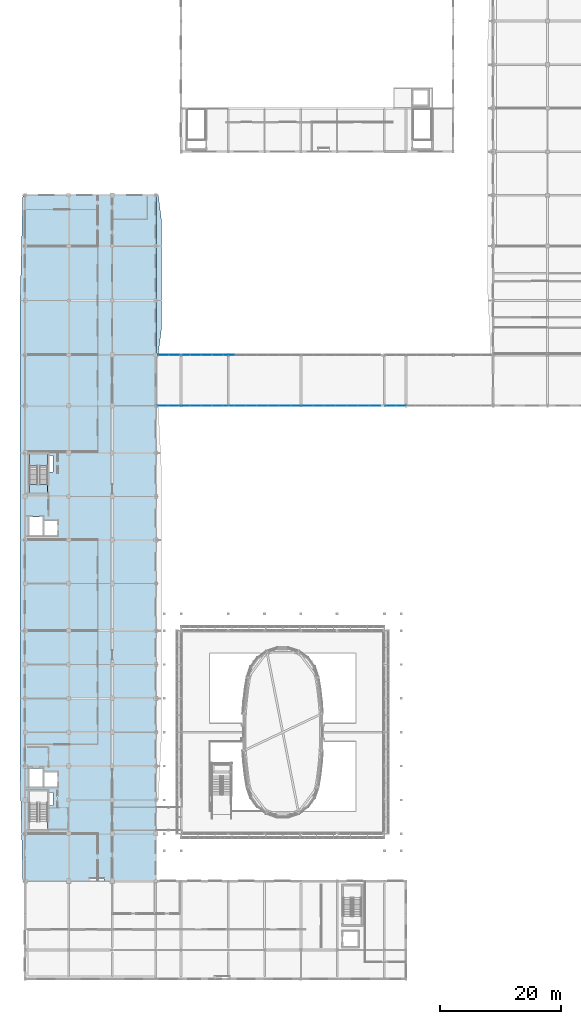
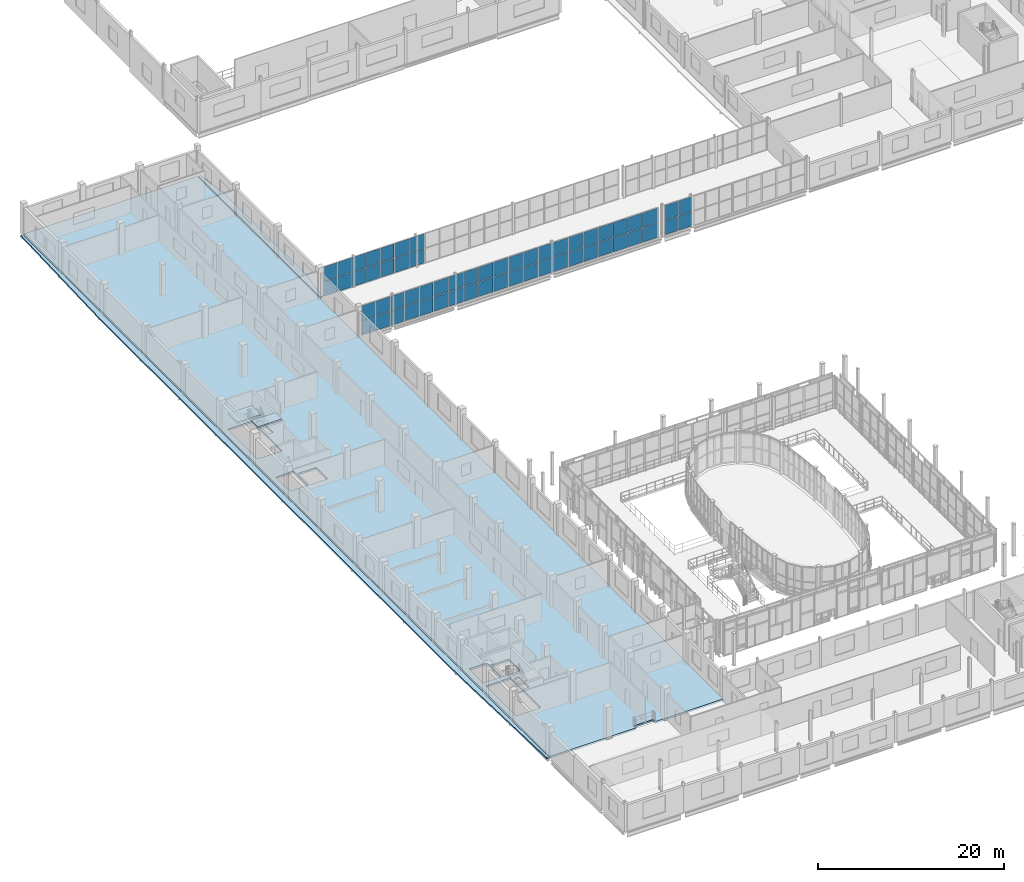
# One storey, part 85 of 121: 58 plates, 5 slabs, 8 elements without a shape of their own.
"""IFC4 building model written with IfcOpenShell, lengths in metres."""

import ifcopenshell
import ifcopenshell.guid

model = None  # the IFC model being written
_history = None  # IfcOwnerHistory: only IFC2X3 demands one
_inside = {}  # id of a spatial element -> (the spatial element, [elements in it])
_under = {}  # id of a project, library or spatial element -> (it, [spatial elements below it])
_declared = {}  # id of a project -> (the project, [libraries it declares])
_typed = {}  # id of a type object -> (the type object, [elements of that type])
_made_of = {}  # id of a material, layer set ... -> (it, [elements and type objects made of it])


def new_model(schema):
    """Start an empty IFC model of exactly this schema.

    Asked for "IFC4X3", IfcOpenShell would pick the latest addendum, in which some entities
    have other attributes; the version numbers below select the first issue.
    IFC2X3 requires an IfcOwnerHistory on every rooted entity: one is made here for all.
    """
    global model, _history
    if schema == "IFC4X3":
        model = ifcopenshell.file(schema_version=(4, 3, 0, 0))
    else:
        model = ifcopenshell.file(schema=schema)
    _inside.clear()
    _under.clear()
    _declared.clear()
    _typed.clear()
    _made_of.clear()
    _history = None
    if model.schema == "IFC2X3":
        org = make("IfcOrganization", Name="unknown")
        user = make(
            "IfcPersonAndOrganization",
            ThePerson=make("IfcPerson", FamilyName="unknown"),
            TheOrganization=org,
        )
        app = make(
            "IfcApplication",
            ApplicationDeveloper=org,
            Version="unknown",
            ApplicationFullName="unknown",
            ApplicationIdentifier="unknown",
        )
        _history = make(
            "IfcOwnerHistory",
            OwningUser=user,
            OwningApplication=app,
            ChangeAction="ADDED",
            CreationDate=0,
        )
    return model


def make(cls, **values):
    """One entity of the class cls with the attributes given. An attribute that is None is left unset."""
    return model.create_entity(
        cls, **{name: value for name, value in values.items() if value is not None}
    )


def rooted(cls, **values):
    """An entity with a GlobalId (a new one), such as an element, a storey or a relation."""
    return make(cls, GlobalId=ifcopenshell.guid.new(), OwnerHistory=_history, **values)


def si_unit(unit_type, name, prefix=None):
    """IfcSIUnit, for example si_unit("LENGTHUNIT", "METRE", prefix="MILLI")."""
    return make("IfcSIUnit", UnitType=unit_type, Prefix=prefix, Name=name)


def assignment(units):
    """IfcUnitAssignment: the units of a project."""
    return None if units is None else make("IfcUnitAssignment", Units=units)


def point(xyz):
    """IfcCartesianPoint."""
    return None if xyz is None else make("IfcCartesianPoint", Coordinates=xyz)


def direction(xyz):
    """IfcDirection."""
    return None if xyz is None else make("IfcDirection", DirectionRatios=xyz)


def frame(location, z_axis=None, x_axis=None):
    """IfcAxis2Placement3D, a coordinate frame: its origin and axes. An axis left out is left unset."""
    return make(
        "IfcAxis2Placement3D",
        Location=point(location),
        Axis=direction(z_axis),
        RefDirection=direction(x_axis),
    )


def frame_2d(location, x_axis=None):
    """IfcAxis2Placement2D, a coordinate frame in the plane: its origin and x axis."""
    return make(
        "IfcAxis2Placement2D", Location=point(location), RefDirection=direction(x_axis)
    )


def origin():
    """The frame at (0, 0, 0) with its axes left unset."""
    return frame((0.0, 0.0, 0.0))


def origin_2d():
    """The frame at (0, 0) in the plane with its x axis left unset."""
    return frame_2d((0.0, 0.0))


def place(relative_to, where):
    """IfcLocalPlacement: puts the frame where relative to a parent placement (None: the world)."""
    return make(
        "IfcLocalPlacement", PlacementRelTo=relative_to, RelativePlacement=where
    )


def context(
    kind, dimensions, precision=None, world=None, true_north=None, identifier=None
):
    """IfcGeometricRepresentationContext, for example the 3D "Model" context."""
    return make(
        "IfcGeometricRepresentationContext",
        ContextIdentifier=identifier,
        ContextType=kind,
        CoordinateSpaceDimension=dimensions,
        Precision=precision,
        WorldCoordinateSystem=world,
        TrueNorth=true_north,
    )


def subcontext(parent, identifier, kind, view, scale=None):
    """IfcGeometricRepresentationSubContext, for example "Body" below "Model"."""
    return make(
        "IfcGeometricRepresentationSubContext",
        ContextIdentifier=identifier,
        ContextType=kind,
        ParentContext=parent,
        TargetScale=scale,
        TargetView=view,
    )


def project(units=None, contexts=None):
    """IfcProject with its units and contexts."""
    return rooted(
        "IfcProject",
        Name="project",
        RepresentationContexts=contexts,
        UnitsInContext=assignment(units),
    )


def spatial(cls, under=None, at=None, **own):
    """A site, building, storey or space (cls), placed at a placement, below another one or the project."""
    s = rooted(cls, ObjectPlacement=at, **own)
    if under is not None:
        _under.setdefault(under.id(), (under, []))[1].append(s)
    return s


def polyline(points):
    """IfcPolyline through the points."""
    return make("IfcPolyline", Points=[point(p) for p in points])


def profile(cls, at=None, kind="AREA", **sizes):
    """A parametric profile (cls). Its sizes go by their IFC names, for example OverallWidth=200.0."""
    return make(cls, ProfileType=kind, Position=at, **sizes)


def rectangle(**sizes):
    """IfcRectangleProfileDef."""
    return profile("IfcRectangleProfileDef", **sizes)


def outline(outer, holes=None, kind="AREA"):
    """IfcArbitraryClosedProfileDef: a profile drawn as a closed curve; with holes, ...WithVoids."""
    if holes is None:
        return make("IfcArbitraryClosedProfileDef", ProfileType=kind, OuterCurve=outer)
    return make(
        "IfcArbitraryProfileDefWithVoids",
        ProfileType=kind,
        OuterCurve=outer,
        InnerCurves=holes,
    )


def extrude(swept, where, along, depth):
    """IfcExtrudedAreaSolid: the profile swept, set in the frame where, extruded along a direction by depth."""
    return make(
        "IfcExtrudedAreaSolid",
        SweptArea=swept,
        Position=where,
        ExtrudedDirection=direction(along),
        Depth=depth,
    )


def shape(context_of_items, identifier, shape_type, items):
    """IfcShapeRepresentation: the items that make up one representation, for example the "Body"."""
    return make(
        "IfcShapeRepresentation",
        ContextOfItems=context_of_items,
        RepresentationIdentifier=identifier,
        RepresentationType=shape_type,
        Items=items,
    )


def material(Name=None, Category=None):
    """IfcMaterial."""
    return make("IfcMaterial", Name=Name, Category=Category)


def layer(
    of_material, thickness, ventilated=None, Name=None, Category=None, Priority=None
):
    """IfcMaterialLayer: one layer of a wall or slab, of a material (None: an air gap)."""
    return make(
        "IfcMaterialLayer",
        Material=of_material,
        LayerThickness=thickness,
        IsVentilated=ventilated,
        Name=Name,
        Category=Category,
        Priority=Priority,
    )


def layer_set(layers, Name=None):
    """IfcMaterialLayerSet."""
    return make("IfcMaterialLayerSet", MaterialLayers=layers, LayerSetName=Name)


def made_of(thing, what):
    """Note that an element or type object is made of a material, layer set ...; save() writes the relation."""
    if what is not None:
        _made_of.setdefault(what.id(), (what, []))[1].append(thing)
    return thing


def type_object(cls, material=None, **own):
    """A type object (cls), such as IfcWallType, which elements share."""
    return made_of(rooted(cls, **own), material)


def element(
    cls,
    number,
    at=None,
    inside=None,
    cuts=None,
    type_object=None,
    material=None,
    context=None,
    identifier="Body",
    shape_type=None,
    held_by="IfcProductDefinitionShape",
    body=None,
    shapes=None,
    **own,
):
    """One element of the class cls, such as IfcWall. Its Tag is "e" and its number.

    at: its placement. inside: the storey or other place that contains it. cuts: it is an
    opening in that element (IfcRelVoidsElement). A single representation is given by context,
    identifier, shape_type and body (its items); several are given by shapes. held_by: the class
    of the entity that holds the representations. save() writes the other relations.
    """
    e = rooted(cls, Tag="e%d" % number, ObjectPlacement=at, **own)
    if body is not None:
        shapes = [shape(context, identifier, shape_type, body)]
    if shapes is not None:
        e.Representation = make(held_by, Representations=shapes)
    if inside is not None:
        _inside.setdefault(inside.id(), (inside, []))[1].append(e)
    if cuts is not None:
        rooted(
            "IfcRelVoidsElement", RelatingBuildingElement=cuts, RelatedOpeningElement=e
        )
    if type_object is not None:
        _typed.setdefault(type_object.id(), (type_object, []))[1].append(e)
    return made_of(e, material)


def aggregate(whole, parts):
    """IfcRelAggregates: a whole, such as a stair, and the parts it consists of."""
    return rooted("IfcRelAggregates", RelatingObject=whole, RelatedObjects=parts)


def save(model, path):
    """Write the relations noted so far, then the file.

    IfcRelAggregates (storeys below a building ...), IfcRelContainedInSpatialStructure (elements
    in a storey), IfcRelDefinesByType, IfcRelAssociatesMaterial and IfcRelDeclares: one each for
    every whole, place, type object, material and project.
    """
    for whole, parts in _under.values():
        aggregate(whole, parts)
    for where, things in _inside.values():
        rooted(
            "IfcRelContainedInSpatialStructure",
            RelatedElements=things,
            RelatingStructure=where,
        )
    for kind, things in _typed.values():
        rooted("IfcRelDefinesByType", RelatedObjects=things, RelatingType=kind)
    for what, things in _made_of.values():
        rooted("IfcRelAssociatesMaterial", RelatedObjects=things, RelatingMaterial=what)
    for by, libraries in _declared.values():
        rooted("IfcRelDeclares", RelatingContext=by, RelatedDefinitions=libraries)
    model.write(path)


model = new_model("IFC4")

# Units and contexts
model_context = context("Model", 3, precision=1e-05, world=origin(), true_north=direction((0.0, 1.0)))
body_context = subcontext(model_context, "Body", "Model", "MODEL_VIEW")
ifc_project = project(units=[si_unit("LENGTHUNIT", "METRE"), si_unit("AREAUNIT", "SQUARE_METRE"), si_unit("VOLUMEUNIT", "CUBIC_METRE"), si_unit("PLANEANGLEUNIT", "RADIAN"), si_unit("MASSUNIT", "GRAM", prefix="KILO")], contexts=[model_context])

# Site, building, storey
site_placement = place(None, origin())
site = spatial("IfcSite", under=ifc_project, at=site_placement, CompositionType="ELEMENT")
building_placement = place(site_placement, origin())
building = spatial("IfcBuilding", under=site, at=building_placement, Name="Vinh Khe Railworks Police Headquarters", CompositionType="ELEMENT")
storey_placement = place(building_placement, frame((0.0, 0.0, 4.800048828125)))
storey = spatial("IfcBuildingStorey", under=building, at=storey_placement, Name="L01", CompositionType="ELEMENT", Elevation=4.800048828125)

# Slabs
ifc_material_1 = material(Name="Concrete C35/45 (B35)", Category="concrete")
ifc_layer_1 = layer(ifc_material_1, 0.199951171875)
ifc_layer_set_1 = layer_set([ifc_layer_1], Name="Concrete C35/45 (B35)")
slab_type_1 = type_object("IfcSlabType", Name="Flat Structural Roof Slab 200", PredefinedType="ROOF", material=ifc_layer_set_1)
slab_1_placement = place(storey_placement, frame((0.0, 0.0, -0.239990234375)))
element("IfcSlab", 1, at=slab_1_placement, inside=storey, type_object=slab_type_1, Name="Monsoon Window Eyebrow Hood V5W (L01)", PredefinedType="ROOF", context=body_context, shape_type="SweptSolid", body=[
    extrude(outline(polyline([(0.4599609375, 17.39990234375), (0.4599609375, 130.800048828125), (0.21142578125, 130.800048828125), (-0.25, 112.656005859375), (-0.25, 35.5439453125), (0.21142578125, 17.39990234375), (0.4599609375, 17.39990234375)])), origin(), (0.0, 0.0, 1.0), 0.199951171875),
])
slab_2_placement = place(storey_placement, frame((0.0, 0.0, -0.239990234375)))
element("IfcSlab", 2, at=slab_2_placement, inside=storey, type_object=slab_type_1, Name="Monsoon Window Eyebrow Hood V5E (L01)", PredefinedType="ROOF", context=body_context, shape_type="SweptSolid", body=[
    extrude(outline(polyline([(22.340087890625, 104.60009765625), (22.62353515625, 104.60009765625), (23.14990234375, 108.7919921875), (23.14990234375, 126.60791015625), (22.62353515625, 130.800048828125), (22.340087890625, 130.800048828125), (22.340087890625, 104.60009765625)])), origin(), (0.0, 0.0, 1.0), 0.199951171875),
])

# Curtain wall, plates
ifc_material_2 = material(Name="Anodised aluminium and solar-control glass", Category="aluminium")
ifc_layer_2 = layer(ifc_material_2, 0.159912109375)
ifc_layer_set_2 = layer_set([ifc_layer_2], Name="Anodised aluminium and solar-control glass")
curtain_wall_type = type_object("IfcCurtainWallType", Name="CW-SHOPFRONT", PredefinedType="USERDEFINED", material=ifc_layer_set_2)
curtain_wall_1_placement = place(storey_placement, origin())
curtain_wall_1 = element("IfcCurtainWall", 3, at=curtain_wall_1_placement, inside=storey, type_object=curtain_wall_type, Name="Link Bridge South Glazing L01 Bay 1", ObjectType="UNITISED GLAZING", PredefinedType="USERDEFINED")
ifc_material_3 = material(Name="Low-iron laminated solar-control glass", Category="glass")
ifc_layer_3 = layer(ifc_material_3, 0.028076171875)
ifc_layer_set_3 = layer_set([ifc_layer_3], Name="Low-iron laminated solar-control glass")
plate_type = type_object("IfcPlateType", Name="PAN-GLZ-28", PredefinedType="CURTAIN_PANEL", material=ifc_layer_set_3)
plate_1_placement = place(storey_placement, frame((23.410400390625, 96.0, 0.06005859375), z_axis=(0.0, 0.0, 1.0), x_axis=(1.0, 0.0, 0.0)))
plate_1 = element("IfcPlate", 4, at=plate_1_placement, type_object=plate_type, Name="CW-03 panel 1.1", PredefinedType="CURTAIN_PANEL", context=body_context, shape_type="SweptSolid", body=[
    extrude(rectangle(XDim=1.7109375, YDim=0.028076171875, at=origin_2d()), origin(), (0.0, 0.0, 1.0), 1.89990234375),
])
plate_2_placement = place(storey_placement, frame((23.410400390625, 96.0, 2.02001953125), z_axis=(0.0, 0.0, 1.0), x_axis=(1.0, 0.0, 0.0)))
plate_2 = element("IfcPlate", 5, at=plate_2_placement, type_object=plate_type, Name="CW-03 panel 1.2", PredefinedType="CURTAIN_PANEL", context=body_context, shape_type="SweptSolid", body=[
    extrude(rectangle(XDim=1.7109375, YDim=0.028076171875, at=origin_2d()), origin(), (0.0, 0.0, 1.0), 1.89990234375),
])
plate_3_placement = place(storey_placement, frame((25.196533203125, 96.0, 0.06005859375), z_axis=(0.0, 0.0, 1.0), x_axis=(1.0, 0.0, 0.0)))
plate_3 = element("IfcPlate", 6, at=plate_3_placement, type_object=plate_type, Name="CW-03 panel 2.1", PredefinedType="CURTAIN_PANEL", context=body_context, shape_type="SweptSolid", body=[
    extrude(rectangle(XDim=1.740966796875, YDim=0.028076171875, at=origin_2d()), origin(), (0.0, 0.0, 1.0), 1.89990234375),
])
plate_4_placement = place(storey_placement, frame((25.196533203125, 96.0, 2.02001953125), z_axis=(0.0, 0.0, 1.0), x_axis=(1.0, 0.0, 0.0)))
plate_4 = element("IfcPlate", 7, at=plate_4_placement, type_object=plate_type, Name="CW-03 panel 2.2", PredefinedType="CURTAIN_PANEL", context=body_context, shape_type="SweptSolid", body=[
    extrude(rectangle(XDim=1.740966796875, YDim=0.028076171875, at=origin_2d()), origin(), (0.0, 0.0, 1.0), 1.89990234375),
])
plate_5_placement = place(storey_placement, frame((26.99755859375, 96.0, 0.06005859375), z_axis=(0.0, 0.0, 1.0), x_axis=(1.0, 0.0, 0.0)))
plate_5 = element("IfcPlate", 8, at=plate_5_placement, type_object=plate_type, Name="CW-03 panel 3.1", PredefinedType="CURTAIN_PANEL", context=body_context, shape_type="SweptSolid", body=[
    extrude(rectangle(XDim=1.740966796875, YDim=0.028076171875, at=origin_2d()), origin(), (0.0, 0.0, 1.0), 1.89990234375),
])
plate_6_placement = place(storey_placement, frame((26.99755859375, 96.0, 2.02001953125), z_axis=(0.0, 0.0, 1.0), x_axis=(1.0, 0.0, 0.0)))
plate_6 = element("IfcPlate", 9, at=plate_6_placement, type_object=plate_type, Name="CW-03 panel 3.2", PredefinedType="CURTAIN_PANEL", context=body_context, shape_type="SweptSolid", body=[
    extrude(rectangle(XDim=1.740966796875, YDim=0.028076171875, at=origin_2d()), origin(), (0.0, 0.0, 1.0), 1.89990234375),
])
plate_7_placement = place(storey_placement, frame((28.798583984375, 96.0, 0.06005859375), z_axis=(0.0, 0.0, 1.0), x_axis=(1.0, 0.0, 0.0)))
plate_7 = element("IfcPlate", 10, at=plate_7_placement, type_object=plate_type, Name="CW-03 panel 4.1", PredefinedType="CURTAIN_PANEL", context=body_context, shape_type="SweptSolid", body=[
    extrude(rectangle(XDim=1.740966796875, YDim=0.028076171875, at=origin_2d()), origin(), (0.0, 0.0, 1.0), 1.89990234375),
])
plate_8_placement = place(storey_placement, frame((28.798583984375, 96.0, 2.02001953125), z_axis=(0.0, 0.0, 1.0), x_axis=(1.0, 0.0, 0.0)))
plate_8 = element("IfcPlate", 11, at=plate_8_placement, type_object=plate_type, Name="CW-03 panel 4.2", PredefinedType="CURTAIN_PANEL", context=body_context, shape_type="SweptSolid", body=[
    extrude(rectangle(XDim=1.740966796875, YDim=0.028076171875, at=origin_2d()), origin(), (0.0, 0.0, 1.0), 1.89990234375),
])
plate_9_placement = place(storey_placement, frame((30.58447265625, 96.0, 0.06005859375), z_axis=(0.0, 0.0, 1.0), x_axis=(1.0, 0.0, 0.0)))
plate_9 = element("IfcPlate", 12, at=plate_9_placement, type_object=plate_type, Name="CW-03 panel 5.1", PredefinedType="CURTAIN_PANEL", context=body_context, shape_type="SweptSolid", body=[
    extrude(rectangle(XDim=1.7109375, YDim=0.028076171875, at=origin_2d()), origin(), (0.0, 0.0, 1.0), 1.89990234375),
])
plate_10_placement = place(storey_placement, frame((30.58447265625, 96.0, 2.02001953125), z_axis=(0.0, 0.0, 1.0), x_axis=(1.0, 0.0, 0.0)))
plate_10 = element("IfcPlate", 13, at=plate_10_placement, type_object=plate_type, Name="CW-03 panel 5.2", PredefinedType="CURTAIN_PANEL", context=body_context, shape_type="SweptSolid", body=[
    extrude(rectangle(XDim=1.7109375, YDim=0.028076171875, at=origin_2d()), origin(), (0.0, 0.0, 1.0), 1.89990234375),
])
aggregate(curtain_wall_1, [plate_1, plate_2, plate_3, plate_4, plate_5, plate_6, plate_7, plate_8, plate_9, plate_10])

curtain_wall_2_placement = place(storey_placement, origin())
curtain_wall_2 = element("IfcCurtainWall", 14, at=curtain_wall_2_placement, inside=storey, type_object=curtain_wall_type, Name="Link Bridge North Glazing L01 Bay 1", ObjectType="UNITISED GLAZING", PredefinedType="USERDEFINED")
plate_11_placement = place(storey_placement, frame((23.47802734375, 104.39990234375, 0.06005859375), z_axis=(0.0, 0.0, 1.0), x_axis=(1.0, 0.0, 0.0)))
plate_11 = element("IfcPlate", 15, at=plate_11_placement, type_object=plate_type, Name="CW-03 panel 1.1", PredefinedType="CURTAIN_PANEL", context=body_context, shape_type="SweptSolid", body=[
    extrude(rectangle(XDim=1.696044921875, YDim=0.028076171875, at=origin_2d()), origin(), (0.0, 0.0, 1.0), 1.89990234375),
])
plate_12_placement = place(storey_placement, frame((23.47802734375, 104.39990234375, 2.02001953125), z_axis=(0.0, 0.0, 1.0), x_axis=(1.0, 0.0, 0.0)))
plate_12 = element("IfcPlate", 16, at=plate_12_placement, type_object=plate_type, Name="CW-03 panel 1.2", PredefinedType="CURTAIN_PANEL", context=body_context, shape_type="SweptSolid", body=[
    extrude(rectangle(XDim=1.696044921875, YDim=0.028076171875, at=origin_2d()), origin(), (0.0, 0.0, 1.0), 1.89990234375),
])
plate_13_placement = place(storey_placement, frame((25.2490234375, 104.39990234375, 0.06005859375), z_axis=(0.0, 0.0, 1.0), x_axis=(1.0, 0.0, 0.0)))
plate_13 = element("IfcPlate", 17, at=plate_13_placement, type_object=plate_type, Name="CW-03 panel 2.1", PredefinedType="CURTAIN_PANEL", context=body_context, shape_type="SweptSolid", body=[
    extrude(rectangle(XDim=1.72607421875, YDim=0.028076171875, at=origin_2d()), origin(), (0.0, 0.0, 1.0), 1.89990234375),
])
plate_14_placement = place(storey_placement, frame((25.2490234375, 104.39990234375, 2.02001953125), z_axis=(0.0, 0.0, 1.0), x_axis=(1.0, 0.0, 0.0)))
plate_14 = element("IfcPlate", 18, at=plate_14_placement, type_object=plate_type, Name="CW-03 panel 2.2", PredefinedType="CURTAIN_PANEL", context=body_context, shape_type="SweptSolid", body=[
    extrude(rectangle(XDim=1.72607421875, YDim=0.028076171875, at=origin_2d()), origin(), (0.0, 0.0, 1.0), 1.89990234375),
])
plate_15_placement = place(storey_placement, frame((27.034912109375, 104.39990234375, 0.06005859375), z_axis=(0.0, 0.0, 1.0), x_axis=(1.0, 0.0, 0.0)))
plate_15 = element("IfcPlate", 19, at=plate_15_placement, type_object=plate_type, Name="CW-03 panel 3.1", PredefinedType="CURTAIN_PANEL", context=body_context, shape_type="SweptSolid", body=[
    extrude(rectangle(XDim=1.72607421875, YDim=0.028076171875, at=origin_2d()), origin(), (0.0, 0.0, 1.0), 1.89990234375),
])
plate_16_placement = place(storey_placement, frame((27.034912109375, 104.39990234375, 2.02001953125), z_axis=(0.0, 0.0, 1.0), x_axis=(1.0, 0.0, 0.0)))
plate_16 = element("IfcPlate", 20, at=plate_16_placement, type_object=plate_type, Name="CW-03 panel 3.2", PredefinedType="CURTAIN_PANEL", context=body_context, shape_type="SweptSolid", body=[
    extrude(rectangle(XDim=1.72607421875, YDim=0.028076171875, at=origin_2d()), origin(), (0.0, 0.0, 1.0), 1.89990234375),
])
plate_17_placement = place(storey_placement, frame((28.821044921875, 104.39990234375, 0.06005859375), z_axis=(0.0, 0.0, 1.0), x_axis=(1.0, 0.0, 0.0)))
plate_17 = element("IfcPlate", 21, at=plate_17_placement, type_object=plate_type, Name="CW-03 panel 4.1", PredefinedType="CURTAIN_PANEL", context=body_context, shape_type="SweptSolid", body=[
    extrude(rectangle(XDim=1.72607421875, YDim=0.028076171875, at=origin_2d()), origin(), (0.0, 0.0, 1.0), 1.89990234375),
])
plate_18_placement = place(storey_placement, frame((28.821044921875, 104.39990234375, 2.02001953125), z_axis=(0.0, 0.0, 1.0), x_axis=(1.0, 0.0, 0.0)))
plate_18 = element("IfcPlate", 22, at=plate_18_placement, type_object=plate_type, Name="CW-03 panel 4.2", PredefinedType="CURTAIN_PANEL", context=body_context, shape_type="SweptSolid", body=[
    extrude(rectangle(XDim=1.72607421875, YDim=0.028076171875, at=origin_2d()), origin(), (0.0, 0.0, 1.0), 1.89990234375),
])
plate_19_placement = place(storey_placement, frame((30.592041015625, 104.39990234375, 0.06005859375), z_axis=(0.0, 0.0, 1.0), x_axis=(1.0, 0.0, 0.0)))
plate_19 = element("IfcPlate", 23, at=plate_19_placement, type_object=plate_type, Name="CW-03 panel 5.1", PredefinedType="CURTAIN_PANEL", context=body_context, shape_type="SweptSolid", body=[
    extrude(rectangle(XDim=1.696044921875, YDim=0.028076171875, at=origin_2d()), origin(), (0.0, 0.0, 1.0), 1.89990234375),
])
plate_20_placement = place(storey_placement, frame((30.592041015625, 104.39990234375, 2.02001953125), z_axis=(0.0, 0.0, 1.0), x_axis=(1.0, 0.0, 0.0)))
plate_20 = element("IfcPlate", 24, at=plate_20_placement, type_object=plate_type, Name="CW-03 panel 5.2", PredefinedType="CURTAIN_PANEL", context=body_context, shape_type="SweptSolid", body=[
    extrude(rectangle(XDim=1.696044921875, YDim=0.028076171875, at=origin_2d()), origin(), (0.0, 0.0, 1.0), 1.89990234375),
])
aggregate(curtain_wall_2, [plate_11, plate_12, plate_13, plate_14, plate_15, plate_16, plate_17, plate_18, plate_19, plate_20])

curtain_wall_3_placement = place(storey_placement, origin())
curtain_wall_3 = element("IfcCurtainWall", 25, at=curtain_wall_3_placement, inside=storey, type_object=curtain_wall_type, Name="Link Bridge South Glazing L01 Bay 2", ObjectType="UNITISED GLAZING", PredefinedType="USERDEFINED")
plate_21_placement = place(storey_placement, frame((32.445068359375, 96.0, 0.06005859375), z_axis=(0.0, 0.0, 1.0), x_axis=(1.0, 0.0, 0.0)))
plate_21 = element("IfcPlate", 26, at=plate_21_placement, type_object=plate_type, Name="CW-03 panel 1.1", PredefinedType="CURTAIN_PANEL", context=body_context, shape_type="SweptSolid", body=[
    extrude(rectangle(XDim=1.77001953125, YDim=0.028076171875, at=origin_2d()), origin(), (0.0, 0.0, 1.0), 1.89990234375),
])
plate_22_placement = place(storey_placement, frame((32.445068359375, 96.0, 2.02001953125), z_axis=(0.0, 0.0, 1.0), x_axis=(1.0, 0.0, 0.0)))
plate_22 = element("IfcPlate", 27, at=plate_22_placement, type_object=plate_type, Name="CW-03 panel 1.2", PredefinedType="CURTAIN_PANEL", context=body_context, shape_type="SweptSolid", body=[
    extrude(rectangle(XDim=1.77001953125, YDim=0.028076171875, at=origin_2d()), origin(), (0.0, 0.0, 1.0), 1.89990234375),
])
plate_23_placement = place(storey_placement, frame((34.2900390625, 96.0, 0.06005859375), z_axis=(0.0, 0.0, 1.0), x_axis=(1.0, 0.0, 0.0)))
plate_23 = element("IfcPlate", 28, at=plate_23_placement, type_object=plate_type, Name="CW-03 panel 2.1", PredefinedType="CURTAIN_PANEL", context=body_context, shape_type="SweptSolid", body=[
    extrude(rectangle(XDim=1.800048828125, YDim=0.028076171875, at=origin_2d()), origin(), (0.0, 0.0, 1.0), 1.89990234375),
])
plate_24_placement = place(storey_placement, frame((34.2900390625, 96.0, 2.02001953125), z_axis=(0.0, 0.0, 1.0), x_axis=(1.0, 0.0, 0.0)))
plate_24 = element("IfcPlate", 29, at=plate_24_placement, type_object=plate_type, Name="CW-03 panel 2.2", PredefinedType="CURTAIN_PANEL", context=body_context, shape_type="SweptSolid", body=[
    extrude(rectangle(XDim=1.800048828125, YDim=0.028076171875, at=origin_2d()), origin(), (0.0, 0.0, 1.0), 1.89990234375),
])
plate_25_placement = place(storey_placement, frame((36.14990234375, 96.0, 0.06005859375), z_axis=(0.0, 0.0, 1.0), x_axis=(1.0, 0.0, 0.0)))
plate_25 = element("IfcPlate", 30, at=plate_25_placement, type_object=plate_type, Name="CW-03 panel 3.1", PredefinedType="CURTAIN_PANEL", context=body_context, shape_type="SweptSolid", body=[
    extrude(rectangle(XDim=1.800048828125, YDim=0.028076171875, at=origin_2d()), origin(), (0.0, 0.0, 1.0), 1.89990234375),
])
plate_26_placement = place(storey_placement, frame((36.14990234375, 96.0, 2.02001953125), z_axis=(0.0, 0.0, 1.0), x_axis=(1.0, 0.0, 0.0)))
plate_26 = element("IfcPlate", 31, at=plate_26_placement, type_object=plate_type, Name="CW-03 panel 3.2", PredefinedType="CURTAIN_PANEL", context=body_context, shape_type="SweptSolid", body=[
    extrude(rectangle(XDim=1.800048828125, YDim=0.028076171875, at=origin_2d()), origin(), (0.0, 0.0, 1.0), 1.89990234375),
])
plate_27_placement = place(storey_placement, frame((38.010009765625, 96.0, 0.06005859375), z_axis=(0.0, 0.0, 1.0), x_axis=(1.0, 0.0, 0.0)))
plate_27 = element("IfcPlate", 32, at=plate_27_placement, type_object=plate_type, Name="CW-03 panel 4.1", PredefinedType="CURTAIN_PANEL", context=body_context, shape_type="SweptSolid", body=[
    extrude(rectangle(XDim=1.800048828125, YDim=0.028076171875, at=origin_2d()), origin(), (0.0, 0.0, 1.0), 1.89990234375),
])
plate_28_placement = place(storey_placement, frame((38.010009765625, 96.0, 2.02001953125), z_axis=(0.0, 0.0, 1.0), x_axis=(1.0, 0.0, 0.0)))
plate_28 = element("IfcPlate", 33, at=plate_28_placement, type_object=plate_type, Name="CW-03 panel 4.2", PredefinedType="CURTAIN_PANEL", context=body_context, shape_type="SweptSolid", body=[
    extrude(rectangle(XDim=1.800048828125, YDim=0.028076171875, at=origin_2d()), origin(), (0.0, 0.0, 1.0), 1.89990234375),
])
plate_29_placement = place(storey_placement, frame((39.85498046875, 96.0, 0.06005859375), z_axis=(0.0, 0.0, 1.0), x_axis=(1.0, 0.0, 0.0)))
plate_29 = element("IfcPlate", 34, at=plate_29_placement, type_object=plate_type, Name="CW-03 panel 5.1", PredefinedType="CURTAIN_PANEL", context=body_context, shape_type="SweptSolid", body=[
    extrude(rectangle(XDim=1.77001953125, YDim=0.028076171875, at=origin_2d()), origin(), (0.0, 0.0, 1.0), 1.89990234375),
])
plate_30_placement = place(storey_placement, frame((39.85498046875, 96.0, 2.02001953125), z_axis=(0.0, 0.0, 1.0), x_axis=(1.0, 0.0, 0.0)))
plate_30 = element("IfcPlate", 35, at=plate_30_placement, type_object=plate_type, Name="CW-03 panel 5.2", PredefinedType="CURTAIN_PANEL", context=body_context, shape_type="SweptSolid", body=[
    extrude(rectangle(XDim=1.77001953125, YDim=0.028076171875, at=origin_2d()), origin(), (0.0, 0.0, 1.0), 1.89990234375),
])
aggregate(curtain_wall_3, [plate_21, plate_22, plate_23, plate_24, plate_25, plate_26, plate_27, plate_28, plate_29, plate_30])

curtain_wall_4_placement = place(storey_placement, origin())
curtain_wall_4 = element("IfcCurtainWall", 36, at=curtain_wall_4_placement, inside=storey, type_object=curtain_wall_type, Name="Link Bridge North Glazing L01 Bay 2", ObjectType="UNITISED GLAZING", PredefinedType="USERDEFINED")
plate_31_placement = place(storey_placement, frame((32.445068359375, 104.39990234375, 0.06005859375), z_axis=(0.0, 0.0, 1.0), x_axis=(1.0, 0.0, 0.0)))
plate_31 = element("IfcPlate", 37, at=plate_31_placement, type_object=plate_type, Name="CW-03 panel 1.1", PredefinedType="CURTAIN_PANEL", context=body_context, shape_type="SweptSolid", body=[
    extrude(rectangle(XDim=1.77001953125, YDim=0.028076171875, at=origin_2d()), origin(), (0.0, 0.0, 1.0), 1.89990234375),
])
plate_32_placement = place(storey_placement, frame((32.445068359375, 104.39990234375, 2.02001953125), z_axis=(0.0, 0.0, 1.0), x_axis=(1.0, 0.0, 0.0)))
plate_32 = element("IfcPlate", 38, at=plate_32_placement, type_object=plate_type, Name="CW-03 panel 1.2", PredefinedType="CURTAIN_PANEL", context=body_context, shape_type="SweptSolid", body=[
    extrude(rectangle(XDim=1.77001953125, YDim=0.028076171875, at=origin_2d()), origin(), (0.0, 0.0, 1.0), 1.89990234375),
])
plate_33_placement = place(storey_placement, frame((34.2900390625, 104.39990234375, 0.06005859375), z_axis=(0.0, 0.0, 1.0), x_axis=(1.0, 0.0, 0.0)))
plate_33 = element("IfcPlate", 39, at=plate_33_placement, type_object=plate_type, Name="CW-03 panel 2.1", PredefinedType="CURTAIN_PANEL", context=body_context, shape_type="SweptSolid", body=[
    extrude(rectangle(XDim=1.800048828125, YDim=0.028076171875, at=origin_2d()), origin(), (0.0, 0.0, 1.0), 1.89990234375),
])
plate_34_placement = place(storey_placement, frame((34.2900390625, 104.39990234375, 2.02001953125), z_axis=(0.0, 0.0, 1.0), x_axis=(1.0, 0.0, 0.0)))
plate_34 = element("IfcPlate", 40, at=plate_34_placement, type_object=plate_type, Name="CW-03 panel 2.2", PredefinedType="CURTAIN_PANEL", context=body_context, shape_type="SweptSolid", body=[
    extrude(rectangle(XDim=1.800048828125, YDim=0.028076171875, at=origin_2d()), origin(), (0.0, 0.0, 1.0), 1.89990234375),
])
aggregate(curtain_wall_4, [plate_31, plate_32, plate_33, plate_34])

curtain_wall_5_placement = place(storey_placement, origin())
curtain_wall_5 = element("IfcCurtainWall", 41, at=curtain_wall_5_placement, inside=storey, type_object=curtain_wall_type, Name="Link Bridge South Glazing L01 Bay 3", ObjectType="UNITISED GLAZING", PredefinedType="USERDEFINED")
plate_35_placement = place(storey_placement, frame((41.7451171875, 96.0, 0.06005859375), z_axis=(0.0, 0.0, 1.0), x_axis=(1.0, 0.0, 0.0)))
plate_35 = element("IfcPlate", 42, at=plate_35_placement, type_object=plate_type, Name="CW-03 panel 1.1", PredefinedType="CURTAIN_PANEL", context=body_context, shape_type="SweptSolid", body=[
    extrude(rectangle(XDim=1.77001953125, YDim=0.028076171875, at=origin_2d()), origin(), (0.0, 0.0, 1.0), 1.89990234375),
])
plate_36_placement = place(storey_placement, frame((41.7451171875, 96.0, 2.02001953125), z_axis=(0.0, 0.0, 1.0), x_axis=(1.0, 0.0, 0.0)))
plate_36 = element("IfcPlate", 43, at=plate_36_placement, type_object=plate_type, Name="CW-03 panel 1.2", PredefinedType="CURTAIN_PANEL", context=body_context, shape_type="SweptSolid", body=[
    extrude(rectangle(XDim=1.77001953125, YDim=0.028076171875, at=origin_2d()), origin(), (0.0, 0.0, 1.0), 1.89990234375),
])
plate_37_placement = place(storey_placement, frame((43.590087890625, 96.0, 0.06005859375), z_axis=(0.0, 0.0, 1.0), x_axis=(1.0, 0.0, 0.0)))
plate_37 = element("IfcPlate", 44, at=plate_37_placement, type_object=plate_type, Name="CW-03 panel 2.1", PredefinedType="CURTAIN_PANEL", context=body_context, shape_type="SweptSolid", body=[
    extrude(rectangle(XDim=1.800048828125, YDim=0.028076171875, at=origin_2d()), origin(), (0.0, 0.0, 1.0), 1.89990234375),
])
plate_38_placement = place(storey_placement, frame((43.590087890625, 96.0, 2.02001953125), z_axis=(0.0, 0.0, 1.0), x_axis=(1.0, 0.0, 0.0)))
plate_38 = element("IfcPlate", 45, at=plate_38_placement, type_object=plate_type, Name="CW-03 panel 2.2", PredefinedType="CURTAIN_PANEL", context=body_context, shape_type="SweptSolid", body=[
    extrude(rectangle(XDim=1.800048828125, YDim=0.028076171875, at=origin_2d()), origin(), (0.0, 0.0, 1.0), 1.89990234375),
])
plate_39_placement = place(storey_placement, frame((45.449951171875, 96.0, 0.06005859375), z_axis=(0.0, 0.0, 1.0), x_axis=(1.0, 0.0, 0.0)))
plate_39 = element("IfcPlate", 46, at=plate_39_placement, type_object=plate_type, Name="CW-03 panel 3.1", PredefinedType="CURTAIN_PANEL", context=body_context, shape_type="SweptSolid", body=[
    extrude(rectangle(XDim=1.800048828125, YDim=0.028076171875, at=origin_2d()), origin(), (0.0, 0.0, 1.0), 1.89990234375),
])
plate_40_placement = place(storey_placement, frame((45.449951171875, 96.0, 2.02001953125), z_axis=(0.0, 0.0, 1.0), x_axis=(1.0, 0.0, 0.0)))
plate_40 = element("IfcPlate", 47, at=plate_40_placement, type_object=plate_type, Name="CW-03 panel 3.2", PredefinedType="CURTAIN_PANEL", context=body_context, shape_type="SweptSolid", body=[
    extrude(rectangle(XDim=1.800048828125, YDim=0.028076171875, at=origin_2d()), origin(), (0.0, 0.0, 1.0), 1.89990234375),
])
plate_41_placement = place(storey_placement, frame((47.31005859375, 96.0, 0.06005859375), z_axis=(0.0, 0.0, 1.0), x_axis=(1.0, 0.0, 0.0)))
plate_41 = element("IfcPlate", 48, at=plate_41_placement, type_object=plate_type, Name="CW-03 panel 4.1", PredefinedType="CURTAIN_PANEL", context=body_context, shape_type="SweptSolid", body=[
    extrude(rectangle(XDim=1.800048828125, YDim=0.028076171875, at=origin_2d()), origin(), (0.0, 0.0, 1.0), 1.89990234375),
])
plate_42_placement = place(storey_placement, frame((47.31005859375, 96.0, 2.02001953125), z_axis=(0.0, 0.0, 1.0), x_axis=(1.0, 0.0, 0.0)))
plate_42 = element("IfcPlate", 49, at=plate_42_placement, type_object=plate_type, Name="CW-03 panel 4.2", PredefinedType="CURTAIN_PANEL", context=body_context, shape_type="SweptSolid", body=[
    extrude(rectangle(XDim=1.800048828125, YDim=0.028076171875, at=origin_2d()), origin(), (0.0, 0.0, 1.0), 1.89990234375),
])
plate_43_placement = place(storey_placement, frame((49.155029296875, 96.0, 0.06005859375), z_axis=(0.0, 0.0, 1.0), x_axis=(1.0, 0.0, 0.0)))
plate_43 = element("IfcPlate", 50, at=plate_43_placement, type_object=plate_type, Name="CW-03 panel 5.1", PredefinedType="CURTAIN_PANEL", context=body_context, shape_type="SweptSolid", body=[
    extrude(rectangle(XDim=1.77001953125, YDim=0.028076171875, at=origin_2d()), origin(), (0.0, 0.0, 1.0), 1.89990234375),
])
plate_44_placement = place(storey_placement, frame((49.155029296875, 96.0, 2.02001953125), z_axis=(0.0, 0.0, 1.0), x_axis=(1.0, 0.0, 0.0)))
plate_44 = element("IfcPlate", 51, at=plate_44_placement, type_object=plate_type, Name="CW-03 panel 5.2", PredefinedType="CURTAIN_PANEL", context=body_context, shape_type="SweptSolid", body=[
    extrude(rectangle(XDim=1.77001953125, YDim=0.028076171875, at=origin_2d()), origin(), (0.0, 0.0, 1.0), 1.89990234375),
])
aggregate(curtain_wall_5, [plate_35, plate_36, plate_37, plate_38, plate_39, plate_40, plate_41, plate_42, plate_43, plate_44])

curtain_wall_6_placement = place(storey_placement, origin())
curtain_wall_6 = element("IfcCurtainWall", 52, at=curtain_wall_6_placement, inside=storey, type_object=curtain_wall_type, Name="Link Bridge South Glazing L01 Bay 4", ObjectType="UNITISED GLAZING", PredefinedType="USERDEFINED")
plate_45_placement = place(storey_placement, frame((51.044921875, 96.0, 0.06005859375), z_axis=(0.0, 0.0, 1.0), x_axis=(1.0, 0.0, 0.0)))
plate_45 = element("IfcPlate", 53, at=plate_45_placement, type_object=plate_type, Name="CW-03 panel 1.1", PredefinedType="CURTAIN_PANEL", context=body_context, shape_type="SweptSolid", body=[
    extrude(rectangle(XDim=1.77001953125, YDim=0.028076171875, at=origin_2d()), origin(), (0.0, 0.0, 1.0), 1.89990234375),
])
plate_46_placement = place(storey_placement, frame((51.044921875, 96.0, 2.02001953125), z_axis=(0.0, 0.0, 1.0), x_axis=(1.0, 0.0, 0.0)))
plate_46 = element("IfcPlate", 54, at=plate_46_placement, type_object=plate_type, Name="CW-03 panel 1.2", PredefinedType="CURTAIN_PANEL", context=body_context, shape_type="SweptSolid", body=[
    extrude(rectangle(XDim=1.77001953125, YDim=0.028076171875, at=origin_2d()), origin(), (0.0, 0.0, 1.0), 1.89990234375),
])
plate_47_placement = place(storey_placement, frame((52.889892578125, 96.0, 0.06005859375), z_axis=(0.0, 0.0, 1.0), x_axis=(1.0, 0.0, 0.0)))
plate_47 = element("IfcPlate", 55, at=plate_47_placement, type_object=plate_type, Name="CW-03 panel 2.1", PredefinedType="CURTAIN_PANEL", context=body_context, shape_type="SweptSolid", body=[
    extrude(rectangle(XDim=1.800048828125, YDim=0.028076171875, at=origin_2d()), origin(), (0.0, 0.0, 1.0), 1.89990234375),
])
plate_48_placement = place(storey_placement, frame((52.889892578125, 96.0, 2.02001953125), z_axis=(0.0, 0.0, 1.0), x_axis=(1.0, 0.0, 0.0)))
plate_48 = element("IfcPlate", 56, at=plate_48_placement, type_object=plate_type, Name="CW-03 panel 2.2", PredefinedType="CURTAIN_PANEL", context=body_context, shape_type="SweptSolid", body=[
    extrude(rectangle(XDim=1.800048828125, YDim=0.028076171875, at=origin_2d()), origin(), (0.0, 0.0, 1.0), 1.89990234375),
])
plate_49_placement = place(storey_placement, frame((54.75, 96.0, 0.06005859375), z_axis=(0.0, 0.0, 1.0), x_axis=(1.0, 0.0, 0.0)))
plate_49 = element("IfcPlate", 57, at=plate_49_placement, type_object=plate_type, Name="CW-03 panel 3.1", PredefinedType="CURTAIN_PANEL", context=body_context, shape_type="SweptSolid", body=[
    extrude(rectangle(XDim=1.800048828125, YDim=0.028076171875, at=origin_2d()), origin(), (0.0, 0.0, 1.0), 1.89990234375),
])
plate_50_placement = place(storey_placement, frame((54.75, 96.0, 2.02001953125), z_axis=(0.0, 0.0, 1.0), x_axis=(1.0, 0.0, 0.0)))
plate_50 = element("IfcPlate", 58, at=plate_50_placement, type_object=plate_type, Name="CW-03 panel 3.2", PredefinedType="CURTAIN_PANEL", context=body_context, shape_type="SweptSolid", body=[
    extrude(rectangle(XDim=1.800048828125, YDim=0.028076171875, at=origin_2d()), origin(), (0.0, 0.0, 1.0), 1.89990234375),
])
plate_51_placement = place(storey_placement, frame((56.610107421875, 96.0, 0.06005859375), z_axis=(0.0, 0.0, 1.0), x_axis=(1.0, 0.0, 0.0)))
plate_51 = element("IfcPlate", 59, at=plate_51_placement, type_object=plate_type, Name="CW-03 panel 4.1", PredefinedType="CURTAIN_PANEL", context=body_context, shape_type="SweptSolid", body=[
    extrude(rectangle(XDim=1.800048828125, YDim=0.028076171875, at=origin_2d()), origin(), (0.0, 0.0, 1.0), 1.89990234375),
])
plate_52_placement = place(storey_placement, frame((56.610107421875, 96.0, 2.02001953125), z_axis=(0.0, 0.0, 1.0), x_axis=(1.0, 0.0, 0.0)))
plate_52 = element("IfcPlate", 60, at=plate_52_placement, type_object=plate_type, Name="CW-03 panel 4.2", PredefinedType="CURTAIN_PANEL", context=body_context, shape_type="SweptSolid", body=[
    extrude(rectangle(XDim=1.800048828125, YDim=0.028076171875, at=origin_2d()), origin(), (0.0, 0.0, 1.0), 1.89990234375),
])
plate_53_placement = place(storey_placement, frame((58.455078125, 96.0, 0.06005859375), z_axis=(0.0, 0.0, 1.0), x_axis=(1.0, 0.0, 0.0)))
plate_53 = element("IfcPlate", 61, at=plate_53_placement, type_object=plate_type, Name="CW-03 panel 5.1", PredefinedType="CURTAIN_PANEL", context=body_context, shape_type="SweptSolid", body=[
    extrude(rectangle(XDim=1.77001953125, YDim=0.028076171875, at=origin_2d()), origin(), (0.0, 0.0, 1.0), 1.89990234375),
])
plate_54_placement = place(storey_placement, frame((58.455078125, 96.0, 2.02001953125), z_axis=(0.0, 0.0, 1.0), x_axis=(1.0, 0.0, 0.0)))
plate_54 = element("IfcPlate", 62, at=plate_54_placement, type_object=plate_type, Name="CW-03 panel 5.2", PredefinedType="CURTAIN_PANEL", context=body_context, shape_type="SweptSolid", body=[
    extrude(rectangle(XDim=1.77001953125, YDim=0.028076171875, at=origin_2d()), origin(), (0.0, 0.0, 1.0), 1.89990234375),
])
aggregate(curtain_wall_6, [plate_45, plate_46, plate_47, plate_48, plate_49, plate_50, plate_51, plate_52, plate_53, plate_54])

curtain_wall_7_placement = place(storey_placement, origin())
curtain_wall_7 = element("IfcCurtainWall", 63, at=curtain_wall_7_placement, inside=storey, type_object=curtain_wall_type, Name="Link Bridge South Glazing L01 Bay 5", ObjectType="UNITISED GLAZING", PredefinedType="USERDEFINED")
plate_55_placement = place(storey_placement, frame((61.07861328125, 96.0, 0.06005859375), z_axis=(0.0, 0.0, 1.0), x_axis=(1.0, 0.0, 0.0)))
plate_55 = element("IfcPlate", 64, at=plate_55_placement, type_object=plate_type, Name="CW-03 panel 1.1", PredefinedType="CURTAIN_PANEL", context=body_context, shape_type="SweptSolid", body=[
    extrude(rectangle(XDim=1.60693359375, YDim=0.028076171875, at=origin_2d()), origin(), (0.0, 0.0, 1.0), 1.89990234375),
])
plate_56_placement = place(storey_placement, frame((61.07861328125, 96.0, 2.02001953125), z_axis=(0.0, 0.0, 1.0), x_axis=(1.0, 0.0, 0.0)))
plate_56 = element("IfcPlate", 65, at=plate_56_placement, type_object=plate_type, Name="CW-03 panel 1.2", PredefinedType="CURTAIN_PANEL", context=body_context, shape_type="SweptSolid", body=[
    extrude(rectangle(XDim=1.60693359375, YDim=0.028076171875, at=origin_2d()), origin(), (0.0, 0.0, 1.0), 1.89990234375),
])
plate_57_placement = place(storey_placement, frame((62.760498046875, 96.0, 0.06005859375), z_axis=(0.0, 0.0, 1.0), x_axis=(1.0, 0.0, 0.0)))
plate_57 = element("IfcPlate", 66, at=plate_57_placement, type_object=plate_type, Name="CW-03 panel 2.1", PredefinedType="CURTAIN_PANEL", context=body_context, shape_type="SweptSolid", body=[
    extrude(rectangle(XDim=1.636962890625, YDim=0.028076171875, at=origin_2d()), origin(), (0.0, 0.0, 1.0), 1.89990234375),
])
plate_58_placement = place(storey_placement, frame((62.760498046875, 96.0, 2.02001953125), z_axis=(0.0, 0.0, 1.0), x_axis=(1.0, 0.0, 0.0)))
plate_58 = element("IfcPlate", 67, at=plate_58_placement, type_object=plate_type, Name="CW-03 panel 2.2", PredefinedType="CURTAIN_PANEL", context=body_context, shape_type="SweptSolid", body=[
    extrude(rectangle(XDim=1.636962890625, YDim=0.028076171875, at=origin_2d()), origin(), (0.0, 0.0, 1.0), 1.89990234375),
])
aggregate(curtain_wall_7, [plate_55, plate_56, plate_57, plate_58])

# Stair, slabs
ifc_material_4 = material(Name="Precast concrete C40/50 (B40)", Category="concrete")
stair_type = type_object("IfcStairType", Name="ST-CORE-DOGLEG", PredefinedType="HALF_TURN_STAIR", material=ifc_material_4)
stair_placement = place(storey_placement, origin())
stair = element("IfcStair", 68, at=stair_placement, inside=storey, type_object=stair_type, Name="L01 Escape Stair ST-02", PredefinedType="HALF_TURN_STAIR")
ifc_layer_4 = layer(ifc_material_1, 0.199951171875)
ifc_layer_set_4 = layer_set([ifc_layer_4], Name="Concrete C35/45 (B35)")
slab_type_2 = type_object("IfcSlabType", Name="SLB-LAND-200", PredefinedType="LANDING", material=ifc_layer_set_4)
slab_3_placement = place(storey_placement, frame((0.0, 0.0, 1.89990234375)))
slab_3 = element("IfcSlab", 69, at=slab_3_placement, type_object=slab_type_2, Name="ST-02 landing 1", PredefinedType="LANDING", context=body_context, shape_type="SweptSolid", body=[
    extrude(outline(polyline([(4.300048828125, 86.030029296875), (4.300048828125, 88.0), (1.300048828125, 88.0), (1.300048828125, 86.030029296875), (4.300048828125, 86.030029296875)])), origin(), (0.0, 0.0, 1.0), 0.199951171875),
])
slab_4_placement = place(storey_placement, frame((0.0, 0.0, 4.0)))
slab_4 = element("IfcSlab", 70, at=slab_4_placement, type_object=slab_type_2, Name="ST-02 landing 2", PredefinedType="LANDING", context=body_context, shape_type="SweptSolid", body=[
    extrude(outline(polyline([(1.280029296875, 81.580078125), (4.320068359375, 81.580078125), (4.320068359375, 82.9599609375), (1.280029296875, 82.9599609375), (1.280029296875, 81.580078125)])), origin(), (0.0, 0.0, 1.0), 0.199951171875),
])
aggregate(stair, [slab_3, slab_4])

# Slab
ifc_layer_5 = layer(ifc_material_1, 0.239990234375)
ifc_layer_set_5 = layer_set([ifc_layer_5], Name="Concrete C35/45 (B35)")
slab_type_3 = type_object("IfcSlabType", Name="Suspended Floor Slab 240", PredefinedType="FLOOR", material=ifc_layer_set_5)
slab_5_placement = place(storey_placement, frame((0.0, 0.0, -0.239990234375)))
element("IfcSlab", 71, at=slab_5_placement, inside=storey, type_object=slab_type_3, Name="V5 Floor Slab (L01)", PredefinedType="FLOOR", context=body_context, shape_type="SweptSolid", body=[
    extrude(outline(polyline([(0.60009765625, 17.39990234375), (11.300048828125, 17.39990234375), (11.300048828125, 17.85009765625), (13.699951171875, 17.85009765625), (13.699951171875, 17.39990234375), (22.199951171875, 17.39990234375), (22.199951171875, 130.800048828125), (0.60009765625, 130.800048828125), (0.60009765625, 17.39990234375)]), holes=[polyline([(1.27001953125, 25.8701171875), (4.330078125, 25.8701171875), (4.330078125, 32.330078125), (1.27001953125, 32.330078125), (1.27001953125, 25.8701171875)]), polyline([(1.280029296875, 32.97998046875), (3.52001953125, 32.97998046875), (3.52001953125, 36.02001953125), (1.280029296875, 36.02001953125), (1.280029296875, 32.97998046875)]), polyline([(3.679931640625, 32.97998046875), (5.919921875, 32.97998046875), (5.919921875, 35.419921875), (3.679931640625, 35.419921875), (3.679931640625, 32.97998046875)]), polyline([(1.27001953125, 81.570068359375), (4.330078125, 81.570068359375), (4.330078125, 88.030029296875), (1.27001953125, 88.030029296875), (1.27001953125, 81.570068359375)]), polyline([(1.280029296875, 74.580078125), (3.52001953125, 74.580078125), (3.52001953125, 77.6201171875), (1.280029296875, 77.6201171875), (1.280029296875, 74.580078125)]), polyline([(3.679931640625, 74.580078125), (5.919921875, 74.580078125), (5.919921875, 77.02001953125), (3.679931640625, 77.02001953125), (3.679931640625, 74.580078125)]), polyline([(4.60009765625, 29.85009765625), (5.179931640625, 29.85009765625), (5.179931640625, 32.050048828125), (4.60009765625, 32.050048828125), (4.60009765625, 29.85009765625)]), polyline([(4.60009765625, 85.050048828125), (5.219970703125, 85.050048828125), (5.219970703125, 87.75), (4.60009765625, 87.75), (4.60009765625, 85.050048828125)])]), origin(), (0.0, 0.0, 1.0), 0.239990234375),
])

save(model, "model.ifc")
